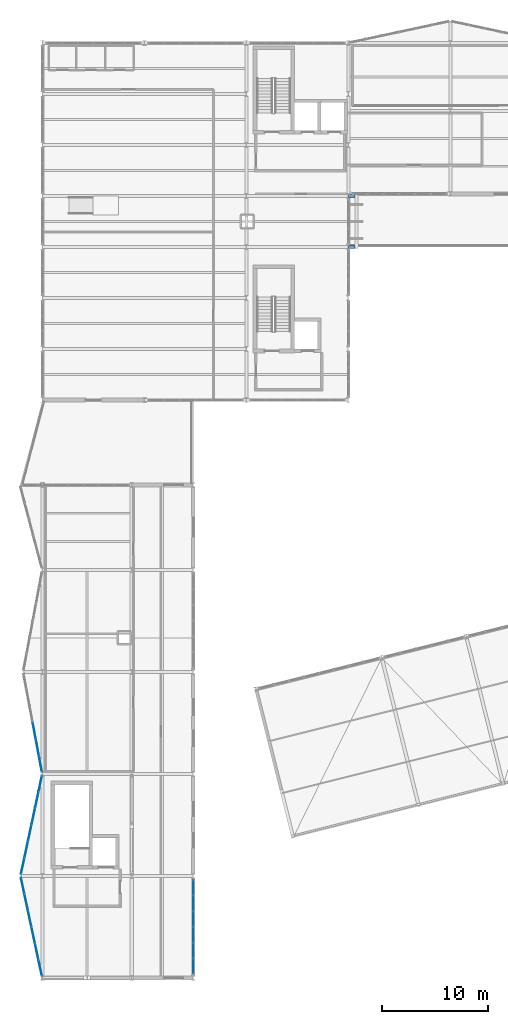
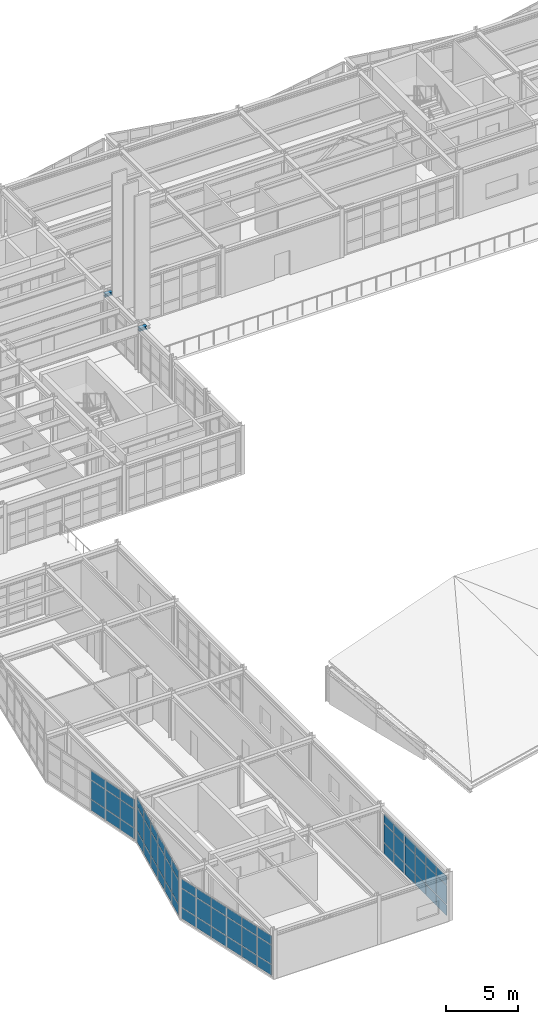
# One storey, part 28 of 47: 63 plates, 2 beams, 4 elements without a shape of their own.
"""IFC4 building model written with IfcOpenShell, lengths in metres."""

import ifcopenshell
import ifcopenshell.guid

model = None  # the IFC model being written
_history = None  # IfcOwnerHistory: only IFC2X3 demands one
_inside = {}  # id of a spatial element -> (the spatial element, [elements in it])
_under = {}  # id of a project, library or spatial element -> (it, [spatial elements below it])
_declared = {}  # id of a project -> (the project, [libraries it declares])
_typed = {}  # id of a type object -> (the type object, [elements of that type])
_made_of = {}  # id of a material, layer set ... -> (it, [elements and type objects made of it])


def new_model(schema):
    """Start an empty IFC model of exactly this schema.

    Asked for "IFC4X3", IfcOpenShell would pick the latest addendum, in which some entities
    have other attributes; the version numbers below select the first issue.
    IFC2X3 requires an IfcOwnerHistory on every rooted entity: one is made here for all.
    """
    global model, _history
    if schema == "IFC4X3":
        model = ifcopenshell.file(schema_version=(4, 3, 0, 0))
    else:
        model = ifcopenshell.file(schema=schema)
    _inside.clear()
    _under.clear()
    _declared.clear()
    _typed.clear()
    _made_of.clear()
    _history = None
    if model.schema == "IFC2X3":
        org = make("IfcOrganization", Name="unknown")
        user = make(
            "IfcPersonAndOrganization",
            ThePerson=make("IfcPerson", FamilyName="unknown"),
            TheOrganization=org,
        )
        app = make(
            "IfcApplication",
            ApplicationDeveloper=org,
            Version="unknown",
            ApplicationFullName="unknown",
            ApplicationIdentifier="unknown",
        )
        _history = make(
            "IfcOwnerHistory",
            OwningUser=user,
            OwningApplication=app,
            ChangeAction="ADDED",
            CreationDate=0,
        )
    return model


def make(cls, **values):
    """One entity of the class cls with the attributes given. An attribute that is None is left unset."""
    return model.create_entity(
        cls, **{name: value for name, value in values.items() if value is not None}
    )


def rooted(cls, **values):
    """An entity with a GlobalId (a new one), such as an element, a storey or a relation."""
    return make(cls, GlobalId=ifcopenshell.guid.new(), OwnerHistory=_history, **values)


def si_unit(unit_type, name, prefix=None):
    """IfcSIUnit, for example si_unit("LENGTHUNIT", "METRE", prefix="MILLI")."""
    return make("IfcSIUnit", UnitType=unit_type, Prefix=prefix, Name=name)


def assignment(units):
    """IfcUnitAssignment: the units of a project."""
    return None if units is None else make("IfcUnitAssignment", Units=units)


def point(xyz):
    """IfcCartesianPoint."""
    return None if xyz is None else make("IfcCartesianPoint", Coordinates=xyz)


def direction(xyz):
    """IfcDirection."""
    return None if xyz is None else make("IfcDirection", DirectionRatios=xyz)


def frame(location, z_axis=None, x_axis=None):
    """IfcAxis2Placement3D, a coordinate frame: its origin and axes. An axis left out is left unset."""
    return make(
        "IfcAxis2Placement3D",
        Location=point(location),
        Axis=direction(z_axis),
        RefDirection=direction(x_axis),
    )


def frame_2d(location, x_axis=None):
    """IfcAxis2Placement2D, a coordinate frame in the plane: its origin and x axis."""
    return make(
        "IfcAxis2Placement2D", Location=point(location), RefDirection=direction(x_axis)
    )


def origin():
    """The frame at (0, 0, 0) with its axes left unset."""
    return frame((0.0, 0.0, 0.0))


def origin_2d():
    """The frame at (0, 0) in the plane with its x axis left unset."""
    return frame_2d((0.0, 0.0))


def place(relative_to, where):
    """IfcLocalPlacement: puts the frame where relative to a parent placement (None: the world)."""
    return make(
        "IfcLocalPlacement", PlacementRelTo=relative_to, RelativePlacement=where
    )


def context(
    kind, dimensions, precision=None, world=None, true_north=None, identifier=None
):
    """IfcGeometricRepresentationContext, for example the 3D "Model" context."""
    return make(
        "IfcGeometricRepresentationContext",
        ContextIdentifier=identifier,
        ContextType=kind,
        CoordinateSpaceDimension=dimensions,
        Precision=precision,
        WorldCoordinateSystem=world,
        TrueNorth=true_north,
    )


def subcontext(parent, identifier, kind, view, scale=None):
    """IfcGeometricRepresentationSubContext, for example "Body" below "Model"."""
    return make(
        "IfcGeometricRepresentationSubContext",
        ContextIdentifier=identifier,
        ContextType=kind,
        ParentContext=parent,
        TargetScale=scale,
        TargetView=view,
    )


def project(units=None, contexts=None):
    """IfcProject with its units and contexts."""
    return rooted(
        "IfcProject",
        Name="project",
        RepresentationContexts=contexts,
        UnitsInContext=assignment(units),
    )


def spatial(cls, under=None, at=None, **own):
    """A site, building, storey or space (cls), placed at a placement, below another one or the project."""
    s = rooted(cls, ObjectPlacement=at, **own)
    if under is not None:
        _under.setdefault(under.id(), (under, []))[1].append(s)
    return s


def profile(cls, at=None, kind="AREA", **sizes):
    """A parametric profile (cls). Its sizes go by their IFC names, for example OverallWidth=200.0."""
    return make(cls, ProfileType=kind, Position=at, **sizes)


def rectangle(**sizes):
    """IfcRectangleProfileDef."""
    return profile("IfcRectangleProfileDef", **sizes)


def i_section(**sizes):
    """IfcIShapeProfileDef."""
    return profile("IfcIShapeProfileDef", **sizes)


def extrude(swept, where, along, depth):
    """IfcExtrudedAreaSolid: the profile swept, set in the frame where, extruded along a direction by depth."""
    return make(
        "IfcExtrudedAreaSolid",
        SweptArea=swept,
        Position=where,
        ExtrudedDirection=direction(along),
        Depth=depth,
    )


def shape(context_of_items, identifier, shape_type, items):
    """IfcShapeRepresentation: the items that make up one representation, for example the "Body"."""
    return make(
        "IfcShapeRepresentation",
        ContextOfItems=context_of_items,
        RepresentationIdentifier=identifier,
        RepresentationType=shape_type,
        Items=items,
    )


def material(Name=None, Category=None):
    """IfcMaterial."""
    return make("IfcMaterial", Name=Name, Category=Category)


def layer(
    of_material, thickness, ventilated=None, Name=None, Category=None, Priority=None
):
    """IfcMaterialLayer: one layer of a wall or slab, of a material (None: an air gap)."""
    return make(
        "IfcMaterialLayer",
        Material=of_material,
        LayerThickness=thickness,
        IsVentilated=ventilated,
        Name=Name,
        Category=Category,
        Priority=Priority,
    )


def layer_set(layers, Name=None):
    """IfcMaterialLayerSet."""
    return make("IfcMaterialLayerSet", MaterialLayers=layers, LayerSetName=Name)


def material_profile(
    of_material, cross_section, Name=None, Category=None, Priority=None
):
    """IfcMaterialProfile: a cross section and its material."""
    return make(
        "IfcMaterialProfile",
        Name=Name,
        Material=of_material,
        Profile=cross_section,
        Priority=Priority,
        Category=Category,
    )


def profile_set(profiles, Name=None, composite=None):
    """IfcMaterialProfileSet."""
    return make(
        "IfcMaterialProfileSet",
        Name=Name,
        MaterialProfiles=profiles,
        CompositeProfile=composite,
    )


def made_of(thing, what):
    """Note that an element or type object is made of a material, layer set ...; save() writes the relation."""
    if what is not None:
        _made_of.setdefault(what.id(), (what, []))[1].append(thing)
    return thing


def type_object(cls, material=None, **own):
    """A type object (cls), such as IfcWallType, which elements share."""
    return made_of(rooted(cls, **own), material)


def element(
    cls,
    number,
    at=None,
    inside=None,
    cuts=None,
    type_object=None,
    material=None,
    context=None,
    identifier="Body",
    shape_type=None,
    held_by="IfcProductDefinitionShape",
    body=None,
    shapes=None,
    **own,
):
    """One element of the class cls, such as IfcWall. Its Tag is "e" and its number.

    at: its placement. inside: the storey or other place that contains it. cuts: it is an
    opening in that element (IfcRelVoidsElement). A single representation is given by context,
    identifier, shape_type and body (its items); several are given by shapes. held_by: the class
    of the entity that holds the representations. save() writes the other relations.
    """
    e = rooted(cls, Tag="e%d" % number, ObjectPlacement=at, **own)
    if body is not None:
        shapes = [shape(context, identifier, shape_type, body)]
    if shapes is not None:
        e.Representation = make(held_by, Representations=shapes)
    if inside is not None:
        _inside.setdefault(inside.id(), (inside, []))[1].append(e)
    if cuts is not None:
        rooted(
            "IfcRelVoidsElement", RelatingBuildingElement=cuts, RelatedOpeningElement=e
        )
    if type_object is not None:
        _typed.setdefault(type_object.id(), (type_object, []))[1].append(e)
    return made_of(e, material)


def aggregate(whole, parts):
    """IfcRelAggregates: a whole, such as a stair, and the parts it consists of."""
    return rooted("IfcRelAggregates", RelatingObject=whole, RelatedObjects=parts)


def save(model, path):
    """Write the relations noted so far, then the file.

    IfcRelAggregates (storeys below a building ...), IfcRelContainedInSpatialStructure (elements
    in a storey), IfcRelDefinesByType, IfcRelAssociatesMaterial and IfcRelDeclares: one each for
    every whole, place, type object, material and project.
    """
    for whole, parts in _under.values():
        aggregate(whole, parts)
    for where, things in _inside.values():
        rooted(
            "IfcRelContainedInSpatialStructure",
            RelatedElements=things,
            RelatingStructure=where,
        )
    for kind, things in _typed.values():
        rooted("IfcRelDefinesByType", RelatedObjects=things, RelatingType=kind)
    for what, things in _made_of.values():
        rooted("IfcRelAssociatesMaterial", RelatedObjects=things, RelatingMaterial=what)
    for by, libraries in _declared.values():
        rooted("IfcRelDeclares", RelatingContext=by, RelatedDefinitions=libraries)
    model.write(path)


model = new_model("IFC4")

# Units and contexts
model_context = context("Model", 3, precision=1e-05, world=origin(), true_north=direction((0.0, 1.0)))
body_context = subcontext(model_context, "Body", "Model", "MODEL_VIEW")
ifc_project = project(units=[si_unit("LENGTHUNIT", "METRE"), si_unit("AREAUNIT", "SQUARE_METRE"), si_unit("VOLUMEUNIT", "CUBIC_METRE"), si_unit("PLANEANGLEUNIT", "RADIAN"), si_unit("MASSUNIT", "GRAM", prefix="KILO")], contexts=[model_context])

# Site, building, storey
site_placement = place(None, origin())
site = spatial("IfcSite", under=ifc_project, at=site_placement, CompositionType="ELEMENT")
building_placement = place(site_placement, origin())
building = spatial("IfcBuilding", under=site, at=building_placement, Name="Nordkorset Police Headquarters", CompositionType="ELEMENT")
storey_placement = place(building_placement, frame((0.0, 0.0, 22.050048828125)))
storey = spatial("IfcBuildingStorey", under=building, at=storey_placement, Name="L05", CompositionType="ELEMENT", Elevation=22.050048828125)

# Beams
ifc_material_1 = material(Name="Steel S355J2", Category="steel")
ifc_material_profile = material_profile(ifc_material_1, i_section(OverallWidth=0.280029296875, OverallDepth=0.27001953125, WebThickness=0.008056640625, FlangeThickness=0.012939453125, FilletRadius=0.02392578125, at=origin_2d()), Name="HEA 280")
ifc_profile_set = profile_set([ifc_material_profile], Name="Steel S355J2")
beam_type = type_object("IfcBeamType", Name="Spandrel_HEA_280", PredefinedType="SPANDREL", material=ifc_profile_set)
for number, where, z_axis, x_axis, name in (
    (1, (28.806884765625, 97.60009765625, 3.550048828125), (1.0, 0.0, 0.0), (0.0, 1.0, 0.0), "Facade Fin Outrigger Beam East Mid 1"),
    (2, (28.806884765625, 102.39990234375, 3.550048828125), (1.0, 0.0, 0.0), (0.0, 1.0, 0.0), "Facade Fin Outrigger Beam East Mid 2"),
):
    element("IfcBeam", number, at=place(storey_placement, frame(where, z_axis=z_axis, x_axis=x_axis)), inside=storey, type_object=beam_type, Name=name, PredefinedType="SPANDREL", context=body_context, shape_type="SweptSolid", body=[
        extrude(i_section(OverallWidth=0.280029296875, OverallDepth=0.27001953125, WebThickness=0.008056640625, FlangeThickness=0.012939453125, FilletRadius=0.02392578125, at=origin_2d()), origin(), (0.0, 0.0, 1.0), 0.60302734375),
    ])

# Curtain wall, plates
ifc_material_2 = material(Name="Aluminium alloy AW-6060", Category="aluminium")
ifc_layer_1 = layer(ifc_material_2, 0.179931640625, Name="Aluminium alloy AW-6060")
ifc_layer_set_1 = layer_set([ifc_layer_1], Name="Aluminium alloy AW-6060")
curtain_wall_type_1 = type_object("IfcCurtainWallType", Name="CW_Unit_954x350", PredefinedType="USERDEFINED", material=ifc_layer_set_1)
curtain_wall_1_placement = place(storey_placement, origin())
curtain_wall_1 = element("IfcCurtainWall", 3, at=curtain_wall_1_placement, inside=storey, type_object=curtain_wall_type_1, Name="Unitised Curtain Wall L05 V3W-0", ObjectType="UNITISED CURTAIN WALL", PredefinedType="USERDEFINED")
ifc_material_3 = material(Name="Low-iron triple glazing", Category="glass")
ifc_layer_2 = layer(ifc_material_3, 0.035888671875, Name="Low-iron triple glazing")
ifc_layer_set_2 = layer_set([ifc_layer_2], Name="Low-iron triple glazing")
plate_type = type_object("IfcPlateType", Name="CW_Panel_TripleGlazing_36", PredefinedType="CURTAIN_PANEL", material=ifc_layer_set_2)
plate_1_placement = place(storey_placement, frame((-0.198486328125, 29.72998046875, 0.06494140625), z_axis=(0.0, 0.0, 1.0), x_axis=(-0.208832534289, 0.977951416289, 0.0)))
plate_1 = element("IfcPlate", 4, at=plate_1_placement, type_object=plate_type, Name="CW-63 panel 1.1", PredefinedType="CURTAIN_PANEL", context=body_context, shape_type="SweptSolid", body=[
    extrude(rectangle(XDim=1.491943359375, YDim=0.035888671875, at=origin_2d()), origin(), (0.0, 0.0, 1.0), 0.902587890625),
])
plate_2_placement = place(storey_placement, frame((-0.198486328125, 29.72998046875, 1.0322265625), z_axis=(0.0, 0.0, 1.0), x_axis=(-0.208832534289, 0.977951416289, 0.0)))
plate_2 = element("IfcPlate", 5, at=plate_2_placement, type_object=plate_type, Name="CW-63 panel 1.2", PredefinedType="CURTAIN_PANEL", context=body_context, shape_type="SweptSolid", body=[
    extrude(rectangle(XDim=1.491943359375, YDim=0.035888671875, at=origin_2d()), origin(), (0.0, 0.0, 1.0), 1.590087890625),
])
plate_3_placement = place(storey_placement, frame((-0.198486328125, 29.72998046875, 2.6875), z_axis=(0.0, 0.0, 1.0), x_axis=(-0.208832534289, 0.977951416289, 0.0)))
plate_3 = element("IfcPlate", 6, at=plate_3_placement, type_object=plate_type, Name="CW-63 panel 1.3", PredefinedType="CURTAIN_PANEL", context=body_context, shape_type="SweptSolid", body=[
    extrude(rectangle(XDim=1.491943359375, YDim=0.035888671875, at=origin_2d()), origin(), (0.0, 0.0, 1.0), 0.75244140625),
])
plate_4_placement = place(storey_placement, frame((-0.527099609375, 31.2685546875, 0.06494140625), z_axis=(0.0, 0.0, 1.0), x_axis=(-0.208832534289, 0.977951416289, 0.0)))
plate_4 = element("IfcPlate", 7, at=plate_4_placement, type_object=plate_type, Name="CW-63 panel 2.1", PredefinedType="CURTAIN_PANEL", context=body_context, shape_type="SweptSolid", body=[
    extrude(rectangle(XDim=1.5244140625, YDim=0.035888671875, at=origin_2d()), origin(), (0.0, 0.0, 1.0), 0.902587890625),
])
plate_5_placement = place(storey_placement, frame((-0.527099609375, 31.2685546875, 1.0322265625), z_axis=(0.0, 0.0, 1.0), x_axis=(-0.208832534289, 0.977951416289, 0.0)))
plate_5 = element("IfcPlate", 8, at=plate_5_placement, type_object=plate_type, Name="CW-63 panel 2.2", PredefinedType="CURTAIN_PANEL", context=body_context, shape_type="SweptSolid", body=[
    extrude(rectangle(XDim=1.5244140625, YDim=0.035888671875, at=origin_2d()), origin(), (0.0, 0.0, 1.0), 1.590087890625),
])
plate_6_placement = place(storey_placement, frame((-0.527099609375, 31.2685546875, 2.6875), z_axis=(0.0, 0.0, 1.0), x_axis=(-0.208832534289, 0.977951416289, 0.0)))
plate_6 = element("IfcPlate", 9, at=plate_6_placement, type_object=plate_type, Name="CW-63 panel 2.3", PredefinedType="CURTAIN_PANEL", context=body_context, shape_type="SweptSolid", body=[
    extrude(rectangle(XDim=1.5244140625, YDim=0.035888671875, at=origin_2d()), origin(), (0.0, 0.0, 1.0), 0.75244140625),
])
plate_7_placement = place(storey_placement, frame((-0.859130859375, 32.82275390625, 0.06494140625), z_axis=(0.0, 0.0, 1.0), x_axis=(-0.208832534289, 0.977951416289, 0.0)))
plate_7 = element("IfcPlate", 10, at=plate_7_placement, type_object=plate_type, Name="CW-63 panel 3.1", PredefinedType="CURTAIN_PANEL", context=body_context, shape_type="SweptSolid", body=[
    extrude(rectangle(XDim=1.5244140625, YDim=0.035888671875, at=origin_2d()), origin(), (0.0, 0.0, 1.0), 0.902587890625),
])
plate_8_placement = place(storey_placement, frame((-0.859130859375, 32.82275390625, 1.0322265625), z_axis=(0.0, 0.0, 1.0), x_axis=(-0.208832534289, 0.977951416289, 0.0)))
plate_8 = element("IfcPlate", 11, at=plate_8_placement, type_object=plate_type, Name="CW-63 panel 3.2", PredefinedType="CURTAIN_PANEL", context=body_context, shape_type="SweptSolid", body=[
    extrude(rectangle(XDim=1.5244140625, YDim=0.035888671875, at=origin_2d()), origin(), (0.0, 0.0, 1.0), 1.590087890625),
])
plate_9_placement = place(storey_placement, frame((-0.859130859375, 32.82275390625, 2.6875), z_axis=(0.0, 0.0, 1.0), x_axis=(-0.208832534289, 0.977951416289, 0.0)))
plate_9 = element("IfcPlate", 12, at=plate_9_placement, type_object=plate_type, Name="CW-63 panel 3.3", PredefinedType="CURTAIN_PANEL", context=body_context, shape_type="SweptSolid", body=[
    extrude(rectangle(XDim=1.5244140625, YDim=0.035888671875, at=origin_2d()), origin(), (0.0, 0.0, 1.0), 0.75244140625),
])
plate_10_placement = place(storey_placement, frame((-1.19091796875, 34.377197265625, 0.06494140625), z_axis=(0.0, 0.0, 1.0), x_axis=(-0.208832534289, 0.977951416289, 0.0)))
plate_10 = element("IfcPlate", 13, at=plate_10_placement, type_object=plate_type, Name="CW-63 panel 4.1", PredefinedType="CURTAIN_PANEL", context=body_context, shape_type="SweptSolid", body=[
    extrude(rectangle(XDim=1.5244140625, YDim=0.035888671875, at=origin_2d()), origin(), (0.0, 0.0, 1.0), 0.902587890625),
])
plate_11_placement = place(storey_placement, frame((-1.19091796875, 34.377197265625, 1.0322265625), z_axis=(0.0, 0.0, 1.0), x_axis=(-0.208832534289, 0.977951416289, 0.0)))
plate_11 = element("IfcPlate", 14, at=plate_11_placement, type_object=plate_type, Name="CW-63 panel 4.2", PredefinedType="CURTAIN_PANEL", context=body_context, shape_type="SweptSolid", body=[
    extrude(rectangle(XDim=1.5244140625, YDim=0.035888671875, at=origin_2d()), origin(), (0.0, 0.0, 1.0), 1.590087890625),
])
plate_12_placement = place(storey_placement, frame((-1.19091796875, 34.377197265625, 2.6875), z_axis=(0.0, 0.0, 1.0), x_axis=(-0.208832534289, 0.977951416289, 0.0)))
plate_12 = element("IfcPlate", 15, at=plate_12_placement, type_object=plate_type, Name="CW-63 panel 4.3", PredefinedType="CURTAIN_PANEL", context=body_context, shape_type="SweptSolid", body=[
    extrude(rectangle(XDim=1.5244140625, YDim=0.035888671875, at=origin_2d()), origin(), (0.0, 0.0, 1.0), 0.75244140625),
])
plate_13_placement = place(storey_placement, frame((-1.52294921875, 35.931640625, 0.06494140625), z_axis=(0.0, 0.0, 1.0), x_axis=(-0.208832534289, 0.977951416289, 0.0)))
plate_13 = element("IfcPlate", 16, at=plate_13_placement, type_object=plate_type, Name="CW-63 panel 5.1", PredefinedType="CURTAIN_PANEL", context=body_context, shape_type="SweptSolid", body=[
    extrude(rectangle(XDim=1.5244140625, YDim=0.035888671875, at=origin_2d()), origin(), (0.0, 0.0, 1.0), 0.902587890625),
])
plate_14_placement = place(storey_placement, frame((-1.52294921875, 35.931640625, 1.0322265625), z_axis=(0.0, 0.0, 1.0), x_axis=(-0.208832534289, 0.977951416289, 0.0)))
plate_14 = element("IfcPlate", 17, at=plate_14_placement, type_object=plate_type, Name="CW-63 panel 5.2", PredefinedType="CURTAIN_PANEL", context=body_context, shape_type="SweptSolid", body=[
    extrude(rectangle(XDim=1.5244140625, YDim=0.035888671875, at=origin_2d()), origin(), (0.0, 0.0, 1.0), 1.590087890625),
])
plate_15_placement = place(storey_placement, frame((-1.52294921875, 35.931640625, 2.6875), z_axis=(0.0, 0.0, 1.0), x_axis=(-0.208832534289, 0.977951416289, 0.0)))
plate_15 = element("IfcPlate", 18, at=plate_15_placement, type_object=plate_type, Name="CW-63 panel 5.3", PredefinedType="CURTAIN_PANEL", context=body_context, shape_type="SweptSolid", body=[
    extrude(rectangle(XDim=1.5244140625, YDim=0.035888671875, at=origin_2d()), origin(), (0.0, 0.0, 1.0), 0.75244140625),
])
plate_16_placement = place(storey_placement, frame((-1.851318359375, 37.469970703125, 0.06494140625), z_axis=(0.0, 0.0, 1.0), x_axis=(-0.208832534289, 0.977951416289, 0.0)))
plate_16 = element("IfcPlate", 19, at=plate_16_placement, type_object=plate_type, Name="CW-63 panel 6.1", PredefinedType="CURTAIN_PANEL", context=body_context, shape_type="SweptSolid", body=[
    extrude(rectangle(XDim=1.491943359375, YDim=0.035888671875, at=origin_2d()), origin(), (0.0, 0.0, 1.0), 0.902587890625),
])
plate_17_placement = place(storey_placement, frame((-1.851318359375, 37.469970703125, 1.0322265625), z_axis=(0.0, 0.0, 1.0), x_axis=(-0.208832534289, 0.977951416289, 0.0)))
plate_17 = element("IfcPlate", 20, at=plate_17_placement, type_object=plate_type, Name="CW-63 panel 6.2", PredefinedType="CURTAIN_PANEL", context=body_context, shape_type="SweptSolid", body=[
    extrude(rectangle(XDim=1.491943359375, YDim=0.035888671875, at=origin_2d()), origin(), (0.0, 0.0, 1.0), 1.590087890625),
])
plate_18_placement = place(storey_placement, frame((-1.851318359375, 37.469970703125, 2.6875), z_axis=(0.0, 0.0, 1.0), x_axis=(-0.208832534289, 0.977951416289, 0.0)))
plate_18 = element("IfcPlate", 21, at=plate_18_placement, type_object=plate_type, Name="CW-63 panel 6.3", PredefinedType="CURTAIN_PANEL", context=body_context, shape_type="SweptSolid", body=[
    extrude(rectangle(XDim=1.491943359375, YDim=0.035888671875, at=origin_2d()), origin(), (0.0, 0.0, 1.0), 0.75244140625),
])
aggregate(curtain_wall_1, [plate_1, plate_2, plate_3, plate_4, plate_5, plate_6, plate_7, plate_8, plate_9, plate_10, plate_11, plate_12, plate_13, plate_14, plate_15, plate_16, plate_17, plate_18])

ifc_material_4 = material(Name="Aluminium alloy AW-6060", Category="aluminium")
ifc_layer_3 = layer(ifc_material_4, 0.179931640625, Name="Aluminium alloy AW-6060")
ifc_layer_set_3 = layer_set([ifc_layer_3], Name="Aluminium alloy AW-6060")
curtain_wall_type_2 = type_object("IfcCurtainWallType", Name="CW_Unit_888x350", PredefinedType="USERDEFINED", material=ifc_layer_set_3)
curtain_wall_2_placement = place(storey_placement, origin())
curtain_wall_2 = element("IfcCurtainWall", 22, at=curtain_wall_2_placement, inside=storey, type_object=curtain_wall_type_2, Name="Unitised Curtain Wall L05 V3E-0", ObjectType="UNITISED CURTAIN WALL", PredefinedType="USERDEFINED")
plate_19_placement = place(storey_placement, frame((14.199951171875, 29.916259765625, 0.06494140625), z_axis=(0.0, 0.0, 1.0), x_axis=(0.0, 1.0, 0.0)))
plate_19 = element("IfcPlate", 23, at=plate_19_placement, type_object=plate_type, Name="CW-95 panel 1.1", PredefinedType="CURTAIN_PANEL", context=body_context, shape_type="SweptSolid", body=[
    extrude(rectangle(XDim=1.382568359375, YDim=0.035888671875, at=origin_2d()), origin(), (0.0, 0.0, 1.0), 0.902587890625),
])
plate_20_placement = place(storey_placement, frame((14.199951171875, 29.916259765625, 1.0322265625), z_axis=(0.0, 0.0, 1.0), x_axis=(0.0, 1.0, 0.0)))
plate_20 = element("IfcPlate", 24, at=plate_20_placement, type_object=plate_type, Name="CW-95 panel 1.2", PredefinedType="CURTAIN_PANEL", context=body_context, shape_type="SweptSolid", body=[
    extrude(rectangle(XDim=1.382568359375, YDim=0.035888671875, at=origin_2d()), origin(), (0.0, 0.0, 1.0), 1.590087890625),
])
plate_21_placement = place(storey_placement, frame((14.199951171875, 29.916259765625, 2.6875), z_axis=(0.0, 0.0, 1.0), x_axis=(0.0, 1.0, 0.0)))
plate_21 = element("IfcPlate", 25, at=plate_21_placement, type_object=plate_type, Name="CW-95 panel 1.3", PredefinedType="CURTAIN_PANEL", context=body_context, shape_type="SweptSolid", body=[
    extrude(rectangle(XDim=1.382568359375, YDim=0.035888671875, at=origin_2d()), origin(), (0.0, 0.0, 1.0), 0.75244140625),
])
plate_22_placement = place(storey_placement, frame((14.199951171875, 31.3798828125, 0.06494140625), z_axis=(0.0, 0.0, 1.0), x_axis=(0.0, 1.0, 0.0)))
plate_22 = element("IfcPlate", 26, at=plate_22_placement, type_object=plate_type, Name="CW-95 panel 2.1", PredefinedType="CURTAIN_PANEL", context=body_context, shape_type="SweptSolid", body=[
    extrude(rectangle(XDim=1.4150390625, YDim=0.035888671875, at=origin_2d()), origin(), (0.0, 0.0, 1.0), 0.902587890625),
])
plate_23_placement = place(storey_placement, frame((14.199951171875, 31.3798828125, 1.0322265625), z_axis=(0.0, 0.0, 1.0), x_axis=(0.0, 1.0, 0.0)))
plate_23 = element("IfcPlate", 27, at=plate_23_placement, type_object=plate_type, Name="CW-95 panel 2.2", PredefinedType="CURTAIN_PANEL", context=body_context, shape_type="SweptSolid", body=[
    extrude(rectangle(XDim=1.4150390625, YDim=0.035888671875, at=origin_2d()), origin(), (0.0, 0.0, 1.0), 1.590087890625),
])
plate_24_placement = place(storey_placement, frame((14.199951171875, 31.3798828125, 2.6875), z_axis=(0.0, 0.0, 1.0), x_axis=(0.0, 1.0, 0.0)))
plate_24 = element("IfcPlate", 28, at=plate_24_placement, type_object=plate_type, Name="CW-95 panel 2.3", PredefinedType="CURTAIN_PANEL", context=body_context, shape_type="SweptSolid", body=[
    extrude(rectangle(XDim=1.4150390625, YDim=0.035888671875, at=origin_2d()), origin(), (0.0, 0.0, 1.0), 0.75244140625),
])
plate_25_placement = place(storey_placement, frame((14.199951171875, 32.860107421875, 0.06494140625), z_axis=(0.0, 0.0, 1.0), x_axis=(0.0, 1.0, 0.0)))
plate_25 = element("IfcPlate", 29, at=plate_25_placement, type_object=plate_type, Name="CW-95 panel 3.1", PredefinedType="CURTAIN_PANEL", context=body_context, shape_type="SweptSolid", body=[
    extrude(rectangle(XDim=1.4150390625, YDim=0.035888671875, at=origin_2d()), origin(), (0.0, 0.0, 1.0), 0.902587890625),
])
plate_26_placement = place(storey_placement, frame((14.199951171875, 32.860107421875, 1.0322265625), z_axis=(0.0, 0.0, 1.0), x_axis=(0.0, 1.0, 0.0)))
plate_26 = element("IfcPlate", 30, at=plate_26_placement, type_object=plate_type, Name="CW-95 panel 3.2", PredefinedType="CURTAIN_PANEL", context=body_context, shape_type="SweptSolid", body=[
    extrude(rectangle(XDim=1.4150390625, YDim=0.035888671875, at=origin_2d()), origin(), (0.0, 0.0, 1.0), 1.590087890625),
])
plate_27_placement = place(storey_placement, frame((14.199951171875, 32.860107421875, 2.6875), z_axis=(0.0, 0.0, 1.0), x_axis=(0.0, 1.0, 0.0)))
plate_27 = element("IfcPlate", 31, at=plate_27_placement, type_object=plate_type, Name="CW-95 panel 3.3", PredefinedType="CURTAIN_PANEL", context=body_context, shape_type="SweptSolid", body=[
    extrude(rectangle(XDim=1.4150390625, YDim=0.035888671875, at=origin_2d()), origin(), (0.0, 0.0, 1.0), 0.75244140625),
])
plate_28_placement = place(storey_placement, frame((14.199951171875, 34.340087890625, 0.06494140625), z_axis=(0.0, 0.0, 1.0), x_axis=(0.0, 1.0, 0.0)))
plate_28 = element("IfcPlate", 32, at=plate_28_placement, type_object=plate_type, Name="CW-95 panel 4.1", PredefinedType="CURTAIN_PANEL", context=body_context, shape_type="SweptSolid", body=[
    extrude(rectangle(XDim=1.4150390625, YDim=0.035888671875, at=origin_2d()), origin(), (0.0, 0.0, 1.0), 0.902587890625),
])
plate_29_placement = place(storey_placement, frame((14.199951171875, 34.340087890625, 1.0322265625), z_axis=(0.0, 0.0, 1.0), x_axis=(0.0, 1.0, 0.0)))
plate_29 = element("IfcPlate", 33, at=plate_29_placement, type_object=plate_type, Name="CW-95 panel 4.2", PredefinedType="CURTAIN_PANEL", context=body_context, shape_type="SweptSolid", body=[
    extrude(rectangle(XDim=1.4150390625, YDim=0.035888671875, at=origin_2d()), origin(), (0.0, 0.0, 1.0), 1.590087890625),
])
plate_30_placement = place(storey_placement, frame((14.199951171875, 34.340087890625, 2.6875), z_axis=(0.0, 0.0, 1.0), x_axis=(0.0, 1.0, 0.0)))
plate_30 = element("IfcPlate", 34, at=plate_30_placement, type_object=plate_type, Name="CW-95 panel 4.3", PredefinedType="CURTAIN_PANEL", context=body_context, shape_type="SweptSolid", body=[
    extrude(rectangle(XDim=1.4150390625, YDim=0.035888671875, at=origin_2d()), origin(), (0.0, 0.0, 1.0), 0.75244140625),
])
plate_31_placement = place(storey_placement, frame((14.199951171875, 35.820068359375, 0.06494140625), z_axis=(0.0, 0.0, 1.0), x_axis=(0.0, 1.0, 0.0)))
plate_31 = element("IfcPlate", 35, at=plate_31_placement, type_object=plate_type, Name="CW-95 panel 5.1", PredefinedType="CURTAIN_PANEL", context=body_context, shape_type="SweptSolid", body=[
    extrude(rectangle(XDim=1.4150390625, YDim=0.035888671875, at=origin_2d()), origin(), (0.0, 0.0, 1.0), 0.902587890625),
])
plate_32_placement = place(storey_placement, frame((14.199951171875, 35.820068359375, 1.0322265625), z_axis=(0.0, 0.0, 1.0), x_axis=(0.0, 1.0, 0.0)))
plate_32 = element("IfcPlate", 36, at=plate_32_placement, type_object=plate_type, Name="CW-95 panel 5.2", PredefinedType="CURTAIN_PANEL", context=body_context, shape_type="SweptSolid", body=[
    extrude(rectangle(XDim=1.4150390625, YDim=0.035888671875, at=origin_2d()), origin(), (0.0, 0.0, 1.0), 1.590087890625),
])
plate_33_placement = place(storey_placement, frame((14.199951171875, 35.820068359375, 2.6875), z_axis=(0.0, 0.0, 1.0), x_axis=(0.0, 1.0, 0.0)))
plate_33 = element("IfcPlate", 37, at=plate_33_placement, type_object=plate_type, Name="CW-95 panel 5.3", PredefinedType="CURTAIN_PANEL", context=body_context, shape_type="SweptSolid", body=[
    extrude(rectangle(XDim=1.4150390625, YDim=0.035888671875, at=origin_2d()), origin(), (0.0, 0.0, 1.0), 0.75244140625),
])
plate_34_placement = place(storey_placement, frame((14.199951171875, 37.28369140625, 0.06494140625), z_axis=(0.0, 0.0, 1.0), x_axis=(0.0, 1.0, 0.0)))
plate_34 = element("IfcPlate", 38, at=plate_34_placement, type_object=plate_type, Name="CW-95 panel 6.1", PredefinedType="CURTAIN_PANEL", context=body_context, shape_type="SweptSolid", body=[
    extrude(rectangle(XDim=1.382568359375, YDim=0.035888671875, at=origin_2d()), origin(), (0.0, 0.0, 1.0), 0.902587890625),
])
plate_35_placement = place(storey_placement, frame((14.199951171875, 37.28369140625, 1.0322265625), z_axis=(0.0, 0.0, 1.0), x_axis=(0.0, 1.0, 0.0)))
plate_35 = element("IfcPlate", 39, at=plate_35_placement, type_object=plate_type, Name="CW-95 panel 6.2", PredefinedType="CURTAIN_PANEL", context=body_context, shape_type="SweptSolid", body=[
    extrude(rectangle(XDim=1.382568359375, YDim=0.035888671875, at=origin_2d()), origin(), (0.0, 0.0, 1.0), 1.590087890625),
])
plate_36_placement = place(storey_placement, frame((14.199951171875, 37.28369140625, 2.6875), z_axis=(0.0, 0.0, 1.0), x_axis=(0.0, 1.0, 0.0)))
plate_36 = element("IfcPlate", 40, at=plate_36_placement, type_object=plate_type, Name="CW-95 panel 6.3", PredefinedType="CURTAIN_PANEL", context=body_context, shape_type="SweptSolid", body=[
    extrude(rectangle(XDim=1.382568359375, YDim=0.035888671875, at=origin_2d()), origin(), (0.0, 0.0, 1.0), 0.75244140625),
])
aggregate(curtain_wall_2, [plate_19, plate_20, plate_21, plate_22, plate_23, plate_24, plate_25, plate_26, plate_27, plate_28, plate_29, plate_30, plate_31, plate_32, plate_33, plate_34, plate_35, plate_36])

ifc_material_5 = material(Name="Aluminium alloy AW-6060", Category="aluminium")
ifc_layer_4 = layer(ifc_material_5, 0.179931640625, Name="Aluminium alloy AW-6060")
ifc_layer_set_4 = layer_set([ifc_layer_4], Name="Aluminium alloy AW-6060")
curtain_wall_type_3 = type_object("IfcCurtainWallType", Name="CW_Unit_954x392", PredefinedType="USERDEFINED", material=ifc_layer_set_4)
curtain_wall_3_placement = place(storey_placement, origin())
curtain_wall_3 = element("IfcCurtainWall", 41, at=curtain_wall_3_placement, inside=storey, type_object=curtain_wall_type_3, Name="Unitised Curtain Wall L05 V3W-1", ObjectType="UNITISED CURTAIN WALL", PredefinedType="USERDEFINED")
plate_37_placement = place(storey_placement, frame((-1.851318359375, 39.330078125, 0.06494140625), z_axis=(0.0, 0.0, 1.0), x_axis=(0.208832534289, 0.977951416289, 0.0)))
plate_37 = element("IfcPlate", 42, at=plate_37_placement, type_object=plate_type, Name="CW-20 panel 1.1", PredefinedType="CURTAIN_PANEL", context=body_context, shape_type="SweptSolid", body=[
    extrude(rectangle(XDim=1.491943359375, YDim=0.035888671875, at=origin_2d()), origin(), (0.0, 0.0, 1.0), 0.902587890625),
])
plate_38_placement = place(storey_placement, frame((-1.851318359375, 39.330078125, 1.032470703125), z_axis=(0.0, 0.0, 1.0), x_axis=(0.208832534289, 0.977951416289, 0.0)))
plate_38 = element("IfcPlate", 43, at=plate_38_placement, type_object=plate_type, Name="CW-20 panel 1.2", PredefinedType="CURTAIN_PANEL", context=body_context, shape_type="SweptSolid", body=[
    extrude(rectangle(XDim=1.491943359375, YDim=0.035888671875, at=origin_2d()), origin(), (0.0, 0.0, 1.0), 2.0048828125),
])
plate_39_placement = place(storey_placement, frame((-1.851318359375, 39.330078125, 3.1025390625), z_axis=(0.0, 0.0, 1.0), x_axis=(0.208832534289, 0.977951416289, 0.0)))
plate_39 = element("IfcPlate", 44, at=plate_39_placement, type_object=plate_type, Name="CW-20 panel 1.3", PredefinedType="CURTAIN_PANEL", context=body_context, shape_type="SweptSolid", body=[
    extrude(rectangle(XDim=1.491943359375, YDim=0.035888671875, at=origin_2d()), origin(), (0.0, 0.0, 1.0), 0.75244140625),
])
plate_40_placement = place(storey_placement, frame((-1.52294921875, 40.868408203125, 0.06494140625), z_axis=(0.0, 0.0, 1.0), x_axis=(0.208832534289, 0.977951416289, 0.0)))
plate_40 = element("IfcPlate", 45, at=plate_40_placement, type_object=plate_type, Name="CW-20 panel 2.1", PredefinedType="CURTAIN_PANEL", context=body_context, shape_type="SweptSolid", body=[
    extrude(rectangle(XDim=1.5244140625, YDim=0.035888671875, at=origin_2d()), origin(), (0.0, 0.0, 1.0), 0.902587890625),
])
plate_41_placement = place(storey_placement, frame((-1.52294921875, 40.868408203125, 1.032470703125), z_axis=(0.0, 0.0, 1.0), x_axis=(0.208832534289, 0.977951416289, 0.0)))
plate_41 = element("IfcPlate", 46, at=plate_41_placement, type_object=plate_type, Name="CW-20 panel 2.2", PredefinedType="CURTAIN_PANEL", context=body_context, shape_type="SweptSolid", body=[
    extrude(rectangle(XDim=1.5244140625, YDim=0.035888671875, at=origin_2d()), origin(), (0.0, 0.0, 1.0), 2.0048828125),
])
plate_42_placement = place(storey_placement, frame((-1.52294921875, 40.868408203125, 3.1025390625), z_axis=(0.0, 0.0, 1.0), x_axis=(0.208832534289, 0.977951416289, 0.0)))
plate_42 = element("IfcPlate", 47, at=plate_42_placement, type_object=plate_type, Name="CW-20 panel 2.3", PredefinedType="CURTAIN_PANEL", context=body_context, shape_type="SweptSolid", body=[
    extrude(rectangle(XDim=1.5244140625, YDim=0.035888671875, at=origin_2d()), origin(), (0.0, 0.0, 1.0), 0.75244140625),
])
plate_43_placement = place(storey_placement, frame((-1.19091796875, 42.4228515625, 0.06494140625), z_axis=(0.0, 0.0, 1.0), x_axis=(0.208832534289, 0.977951416289, 0.0)))
plate_43 = element("IfcPlate", 48, at=plate_43_placement, type_object=plate_type, Name="CW-20 panel 3.1", PredefinedType="CURTAIN_PANEL", context=body_context, shape_type="SweptSolid", body=[
    extrude(rectangle(XDim=1.5244140625, YDim=0.035888671875, at=origin_2d()), origin(), (0.0, 0.0, 1.0), 0.902587890625),
])
plate_44_placement = place(storey_placement, frame((-1.19091796875, 42.4228515625, 1.032470703125), z_axis=(0.0, 0.0, 1.0), x_axis=(0.208832534289, 0.977951416289, 0.0)))
plate_44 = element("IfcPlate", 49, at=plate_44_placement, type_object=plate_type, Name="CW-20 panel 3.2", PredefinedType="CURTAIN_PANEL", context=body_context, shape_type="SweptSolid", body=[
    extrude(rectangle(XDim=1.5244140625, YDim=0.035888671875, at=origin_2d()), origin(), (0.0, 0.0, 1.0), 2.0048828125),
])
plate_45_placement = place(storey_placement, frame((-1.19091796875, 42.4228515625, 3.1025390625), z_axis=(0.0, 0.0, 1.0), x_axis=(0.208832534289, 0.977951416289, 0.0)))
plate_45 = element("IfcPlate", 50, at=plate_45_placement, type_object=plate_type, Name="CW-20 panel 3.3", PredefinedType="CURTAIN_PANEL", context=body_context, shape_type="SweptSolid", body=[
    extrude(rectangle(XDim=1.5244140625, YDim=0.035888671875, at=origin_2d()), origin(), (0.0, 0.0, 1.0), 0.75244140625),
])
plate_46_placement = place(storey_placement, frame((-0.859130859375, 43.977294921875, 0.06494140625), z_axis=(0.0, 0.0, 1.0), x_axis=(0.208832534289, 0.977951416289, 0.0)))
plate_46 = element("IfcPlate", 51, at=plate_46_placement, type_object=plate_type, Name="CW-20 panel 4.1", PredefinedType="CURTAIN_PANEL", context=body_context, shape_type="SweptSolid", body=[
    extrude(rectangle(XDim=1.5244140625, YDim=0.035888671875, at=origin_2d()), origin(), (0.0, 0.0, 1.0), 0.902587890625),
])
plate_47_placement = place(storey_placement, frame((-0.859130859375, 43.977294921875, 1.032470703125), z_axis=(0.0, 0.0, 1.0), x_axis=(0.208832534289, 0.977951416289, 0.0)))
plate_47 = element("IfcPlate", 52, at=plate_47_placement, type_object=plate_type, Name="CW-20 panel 4.2", PredefinedType="CURTAIN_PANEL", context=body_context, shape_type="SweptSolid", body=[
    extrude(rectangle(XDim=1.5244140625, YDim=0.035888671875, at=origin_2d()), origin(), (0.0, 0.0, 1.0), 2.0048828125),
])
plate_48_placement = place(storey_placement, frame((-0.859130859375, 43.977294921875, 3.1025390625), z_axis=(0.0, 0.0, 1.0), x_axis=(0.208832534289, 0.977951416289, 0.0)))
plate_48 = element("IfcPlate", 53, at=plate_48_placement, type_object=plate_type, Name="CW-20 panel 4.3", PredefinedType="CURTAIN_PANEL", context=body_context, shape_type="SweptSolid", body=[
    extrude(rectangle(XDim=1.5244140625, YDim=0.035888671875, at=origin_2d()), origin(), (0.0, 0.0, 1.0), 0.75244140625),
])
plate_49_placement = place(storey_placement, frame((-0.527099609375, 45.531494140625, 0.06494140625), z_axis=(0.0, 0.0, 1.0), x_axis=(0.208832534289, 0.977951416289, 0.0)))
plate_49 = element("IfcPlate", 54, at=plate_49_placement, type_object=plate_type, Name="CW-20 panel 5.1", PredefinedType="CURTAIN_PANEL", context=body_context, shape_type="SweptSolid", body=[
    extrude(rectangle(XDim=1.5244140625, YDim=0.035888671875, at=origin_2d()), origin(), (0.0, 0.0, 1.0), 0.902587890625),
])
plate_50_placement = place(storey_placement, frame((-0.527099609375, 45.531494140625, 1.032470703125), z_axis=(0.0, 0.0, 1.0), x_axis=(0.208832534289, 0.977951416289, 0.0)))
plate_50 = element("IfcPlate", 55, at=plate_50_placement, type_object=plate_type, Name="CW-20 panel 5.2", PredefinedType="CURTAIN_PANEL", context=body_context, shape_type="SweptSolid", body=[
    extrude(rectangle(XDim=1.5244140625, YDim=0.035888671875, at=origin_2d()), origin(), (0.0, 0.0, 1.0), 2.0048828125),
])
plate_51_placement = place(storey_placement, frame((-0.527099609375, 45.531494140625, 3.1025390625), z_axis=(0.0, 0.0, 1.0), x_axis=(0.208832534289, 0.977951416289, 0.0)))
plate_51 = element("IfcPlate", 56, at=plate_51_placement, type_object=plate_type, Name="CW-20 panel 5.3", PredefinedType="CURTAIN_PANEL", context=body_context, shape_type="SweptSolid", body=[
    extrude(rectangle(XDim=1.5244140625, YDim=0.035888671875, at=origin_2d()), origin(), (0.0, 0.0, 1.0), 0.75244140625),
])
plate_52_placement = place(storey_placement, frame((-0.198486328125, 47.070068359375, 0.06494140625), z_axis=(0.0, 0.0, 1.0), x_axis=(0.208832534289, 0.977951416289, 0.0)))
plate_52 = element("IfcPlate", 57, at=plate_52_placement, type_object=plate_type, Name="CW-20 panel 6.1", PredefinedType="CURTAIN_PANEL", context=body_context, shape_type="SweptSolid", body=[
    extrude(rectangle(XDim=1.491943359375, YDim=0.035888671875, at=origin_2d()), origin(), (0.0, 0.0, 1.0), 0.902587890625),
])
plate_53_placement = place(storey_placement, frame((-0.198486328125, 47.070068359375, 1.032470703125), z_axis=(0.0, 0.0, 1.0), x_axis=(0.208832534289, 0.977951416289, 0.0)))
plate_53 = element("IfcPlate", 58, at=plate_53_placement, type_object=plate_type, Name="CW-20 panel 6.2", PredefinedType="CURTAIN_PANEL", context=body_context, shape_type="SweptSolid", body=[
    extrude(rectangle(XDim=1.491943359375, YDim=0.035888671875, at=origin_2d()), origin(), (0.0, 0.0, 1.0), 2.0048828125),
])
plate_54_placement = place(storey_placement, frame((-0.198486328125, 47.070068359375, 3.1025390625), z_axis=(0.0, 0.0, 1.0), x_axis=(0.208832534289, 0.977951416289, 0.0)))
plate_54 = element("IfcPlate", 59, at=plate_54_placement, type_object=plate_type, Name="CW-20 panel 6.3", PredefinedType="CURTAIN_PANEL", context=body_context, shape_type="SweptSolid", body=[
    extrude(rectangle(XDim=1.491943359375, YDim=0.035888671875, at=origin_2d()), origin(), (0.0, 0.0, 1.0), 0.75244140625),
])
aggregate(curtain_wall_3, [plate_37, plate_38, plate_39, plate_40, plate_41, plate_42, plate_43, plate_44, plate_45, plate_46, plate_47, plate_48, plate_49, plate_50, plate_51, plate_52, plate_53, plate_54])

ifc_material_6 = material(Name="Aluminium alloy AW-6060", Category="aluminium")
ifc_layer_5 = layer(ifc_material_6, 0.179931640625, Name="Aluminium alloy AW-6060")
ifc_layer_set_5 = layer_set([ifc_layer_5], Name="Aluminium alloy AW-6060")
curtain_wall_type_4 = type_object("IfcCurtainWallType", Name="CW_Unit_949x350", PredefinedType="USERDEFINED", material=ifc_layer_set_5)
curtain_wall_4_placement = place(storey_placement, origin())
curtain_wall_4 = element("IfcCurtainWall", 60, at=curtain_wall_4_placement, inside=storey, type_object=curtain_wall_type_4, Name="Unitised Curtain Wall L05 V3W-2", ObjectType="UNITISED CURTAIN WALL", PredefinedType="USERDEFINED")
plate_55_placement = place(storey_placement, frame((-0.174560546875, 48.9306640625, 0.06494140625), z_axis=(0.0, 0.0, 1.0), x_axis=(-0.184288535048, 0.982872186935, 0.0)))
plate_55 = element("IfcPlate", 61, at=plate_55_placement, type_object=plate_type, Name="CW-78 panel 1.1", PredefinedType="CURTAIN_PANEL", context=body_context, shape_type="SweptSolid", body=[
    extrude(rectangle(XDim=1.483642578125, YDim=0.035888671875, at=origin_2d()), origin(), (0.0, 0.0, 1.0), 0.902587890625),
])
plate_56_placement = place(storey_placement, frame((-0.174560546875, 48.9306640625, 1.0322265625), z_axis=(0.0, 0.0, 1.0), x_axis=(-0.184288535048, 0.982872186935, 0.0)))
plate_56 = element("IfcPlate", 62, at=plate_56_placement, type_object=plate_type, Name="CW-78 panel 1.2", PredefinedType="CURTAIN_PANEL", context=body_context, shape_type="SweptSolid", body=[
    extrude(rectangle(XDim=1.483642578125, YDim=0.035888671875, at=origin_2d()), origin(), (0.0, 0.0, 1.0), 1.590087890625),
])
plate_57_placement = place(storey_placement, frame((-0.174560546875, 48.9306640625, 2.6875), z_axis=(0.0, 0.0, 1.0), x_axis=(-0.184288535048, 0.982872186935, 0.0)))
plate_57 = element("IfcPlate", 63, at=plate_57_placement, type_object=plate_type, Name="CW-78 panel 1.3", PredefinedType="CURTAIN_PANEL", context=body_context, shape_type="SweptSolid", body=[
    extrude(rectangle(XDim=1.483642578125, YDim=0.035888671875, at=origin_2d()), origin(), (0.0, 0.0, 1.0), 0.75244140625),
])
plate_58_placement = place(storey_placement, frame((-0.462890625, 50.46875, 0.06494140625), z_axis=(0.0, 0.0, 1.0), x_axis=(-0.184288535048, 0.982872186935, 0.0)))
plate_58 = element("IfcPlate", 64, at=plate_58_placement, type_object=plate_type, Name="CW-78 panel 2.1", PredefinedType="CURTAIN_PANEL", context=body_context, shape_type="SweptSolid", body=[
    extrude(rectangle(XDim=1.51611328125, YDim=0.035888671875, at=origin_2d()), origin(), (0.0, 0.0, 1.0), 0.902587890625),
])
plate_59_placement = place(storey_placement, frame((-0.462890625, 50.46875, 1.0322265625), z_axis=(0.0, 0.0, 1.0), x_axis=(-0.184288535048, 0.982872186935, 0.0)))
plate_59 = element("IfcPlate", 65, at=plate_59_placement, type_object=plate_type, Name="CW-78 panel 2.2", PredefinedType="CURTAIN_PANEL", context=body_context, shape_type="SweptSolid", body=[
    extrude(rectangle(XDim=1.51611328125, YDim=0.035888671875, at=origin_2d()), origin(), (0.0, 0.0, 1.0), 1.590087890625),
])
plate_60_placement = place(storey_placement, frame((-0.462890625, 50.46875, 2.6875), z_axis=(0.0, 0.0, 1.0), x_axis=(-0.184288535048, 0.982872186935, 0.0)))
plate_60 = element("IfcPlate", 66, at=plate_60_placement, type_object=plate_type, Name="CW-78 panel 2.3", PredefinedType="CURTAIN_PANEL", context=body_context, shape_type="SweptSolid", body=[
    extrude(rectangle(XDim=1.51611328125, YDim=0.035888671875, at=origin_2d()), origin(), (0.0, 0.0, 1.0), 0.75244140625),
])
plate_61_placement = place(storey_placement, frame((-0.75439453125, 52.02294921875, 0.06494140625), z_axis=(0.0, 0.0, 1.0), x_axis=(-0.184288535048, 0.982872186935, 0.0)))
plate_61 = element("IfcPlate", 67, at=plate_61_placement, type_object=plate_type, Name="CW-78 panel 3.1", PredefinedType="CURTAIN_PANEL", context=body_context, shape_type="SweptSolid", body=[
    extrude(rectangle(XDim=1.51611328125, YDim=0.035888671875, at=origin_2d()), origin(), (0.0, 0.0, 1.0), 0.902587890625),
])
plate_62_placement = place(storey_placement, frame((-0.75439453125, 52.02294921875, 1.0322265625), z_axis=(0.0, 0.0, 1.0), x_axis=(-0.184288535048, 0.982872186935, 0.0)))
plate_62 = element("IfcPlate", 68, at=plate_62_placement, type_object=plate_type, Name="CW-78 panel 3.2", PredefinedType="CURTAIN_PANEL", context=body_context, shape_type="SweptSolid", body=[
    extrude(rectangle(XDim=1.51611328125, YDim=0.035888671875, at=origin_2d()), origin(), (0.0, 0.0, 1.0), 1.590087890625),
])
plate_63_placement = place(storey_placement, frame((-0.75439453125, 52.02294921875, 2.6875), z_axis=(0.0, 0.0, 1.0), x_axis=(-0.184288535048, 0.982872186935, 0.0)))
plate_63 = element("IfcPlate", 69, at=plate_63_placement, type_object=plate_type, Name="CW-78 panel 3.3", PredefinedType="CURTAIN_PANEL", context=body_context, shape_type="SweptSolid", body=[
    extrude(rectangle(XDim=1.51611328125, YDim=0.035888671875, at=origin_2d()), origin(), (0.0, 0.0, 1.0), 0.75244140625),
])
aggregate(curtain_wall_4, [plate_55, plate_56, plate_57, plate_58, plate_59, plate_60, plate_61, plate_62, plate_63])

save(model, "model.ifc")
